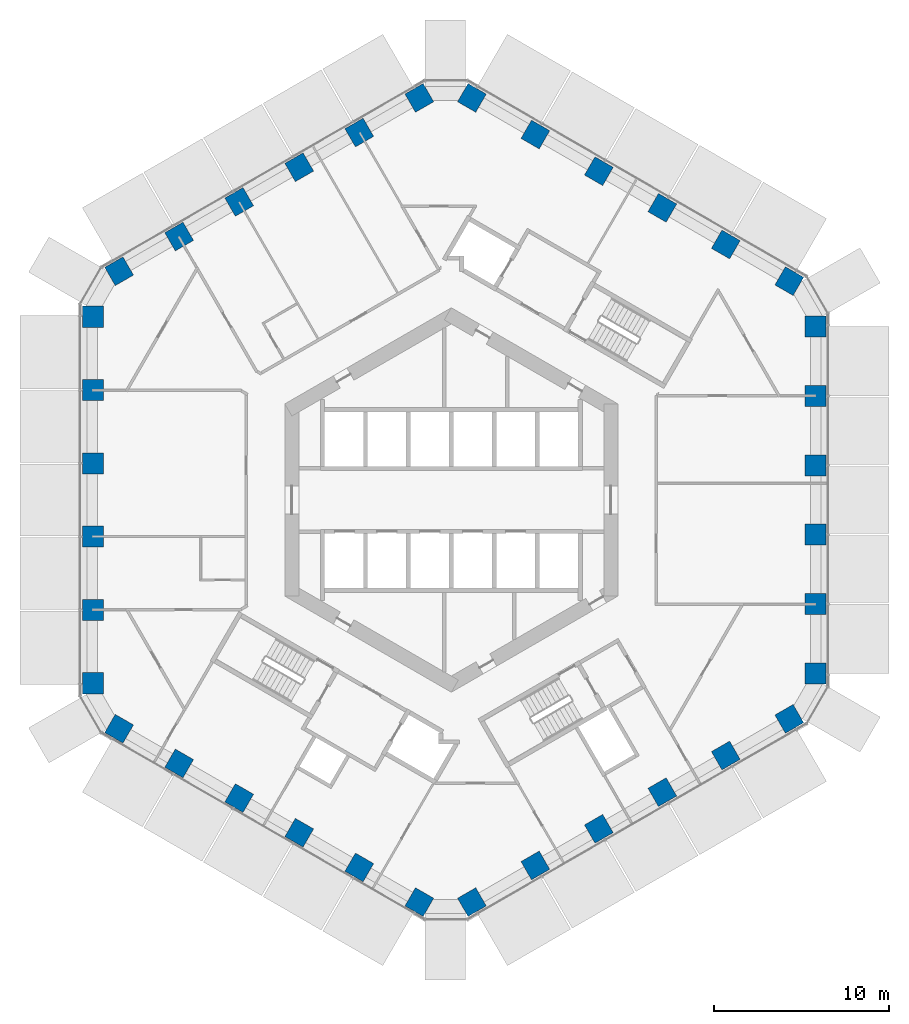
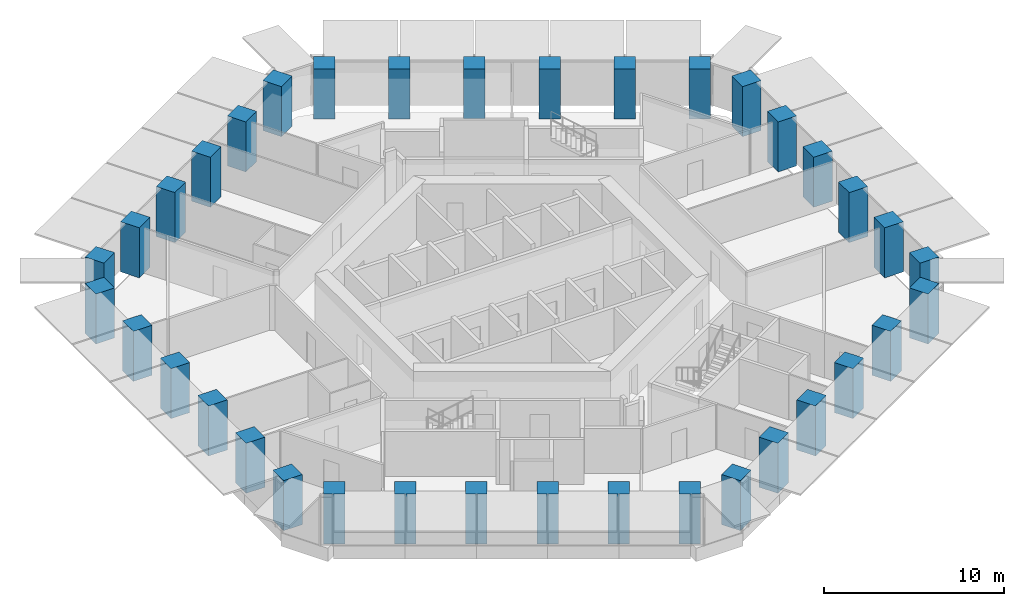
# One storey, part 1 of 19: 36 columns.
"""IFC4 building model written with IfcOpenShell, lengths in metres."""

from ifc_helpers import new_model, si_unit, direction, frame, origin, origin_2d, place, context, subcontext, project, spatial, rectangle, extrude, material, material_profile, profile_set, type_object, element, save


model = new_model("IFC4")

# Units and contexts
model_context = context("Model", 3, precision=1e-05, world=origin(), true_north=direction((0.0, 1.0)))
body_context = subcontext(model_context, "Body", "Model", "MODEL_VIEW")
ifc_project = project(units=[si_unit("LENGTHUNIT", "METRE"), si_unit("AREAUNIT", "SQUARE_METRE"), si_unit("VOLUMEUNIT", "CUBIC_METRE"), si_unit("PLANEANGLEUNIT", "RADIAN"), si_unit("MASSUNIT", "GRAM", prefix="KILO")], contexts=[model_context])

# Site, building, storey
site_placement = place(None, origin())
site = spatial("IfcSite", under=ifc_project, at=site_placement, CompositionType="ELEMENT")
building_placement = place(site_placement, origin())
building = spatial("IfcBuilding", under=site, at=building_placement, Name="Ayvan Gate Tower", CompositionType="ELEMENT")
storey_placement = place(building_placement, frame((0.0, 0.0, 42.5)))
storey = spatial("IfcBuildingStorey", under=building, at=storey_placement, Name="L10", CompositionType="ELEMENT", Elevation=42.5)

# Columns
ifc_material = material(Name="Concrete C70/85", Category="concrete")
ifc_material_profile = material_profile(ifc_material, rectangle(XDim=1.199951171875, YDim=1.199951171875, at=origin_2d()), Name="RC 1200x1200")
ifc_profile_set = profile_set([ifc_material_profile], Name="Concrete C70/85")
column_type = type_object("IfcColumnType", Name="Tube column RC 1200x1200 C70/85", PredefinedType="COLUMN", material=ifc_profile_set)
for number, where, z_axis, x_axis, name in (
    (1, (20.78466796875, -9.89111328125, 0.0), (0.0, 0.0, 1.0), (1.0, 0.0, 0.0), "C-T0-0-L10"),
    (2, (20.78466796875, -5.9345703125, 0.0), (0.0, 0.0, 1.0), (1.0, 0.0, 0.0), "C-T0-1-L10"),
    (3, (20.78466796875, -1.978271484375, 0.0), (0.0, 0.0, 1.0), (1.0, 0.0, 0.0), "C-T0-2-L10"),
    (4, (20.78466796875, 1.978271484375, 0.0), (0.0, 0.0, 1.0), (1.0, 0.0, 0.0), "C-T0-3-L10"),
    (5, (20.78466796875, 5.9345703125, 0.0), (0.0, 0.0, 1.0), (1.0, 0.0, 0.0), "C-T0-4-L10"),
    (6, (20.78466796875, 9.89111328125, 0.0), (0.0, 0.0, 1.0), (1.0, 0.0, 0.0), "C-T0-5-L10"),
    (7, (19.28466796875, 12.489013671875, 0.0), (0.0, 0.0, 1.0), (0.5, 0.866025403784, 0.0), "C-T1-0-L10"),
    (8, (15.662353515625, 14.580322265625, 0.0), (0.0, 0.0, 1.0), (0.5, 0.866025403784, 0.0), "C-T1-1-L10"),
    (9, (12.040283203125, 16.671630859375, 0.0), (0.0, 0.0, 1.0), (0.5, 0.866025403784, 0.0), "C-T1-2-L10"),
    (10, (8.41796875, 18.762939453125, 0.0), (0.0, 0.0, 1.0), (0.5, 0.866025403784, 0.0), "C-T1-3-L10"),
    (11, (4.7958984375, 20.854248046875, 0.0), (0.0, 0.0, 1.0), (0.5, 0.866025403784, 0.0), "C-T1-4-L10"),
    (12, (1.173583984375, 22.945556640625, 0.0), (0.0, 0.0, 1.0), (0.5, 0.866025403784, 0.0), "C-T1-5-L10"),
    (13, (-1.826416015625, 22.945556640625, 0.0), (0.0, 0.0, 1.0), (-0.5, 0.866025403784, 0.0), "C-T2-0-L10"),
    (14, (-5.252685546875, 20.96728515625, 0.0), (0.0, 0.0, 1.0), (-0.5, 0.866025403784, 0.0), "C-T2-1-L10"),
    (15, (-8.67919921875, 18.989013671875, 0.0), (0.0, 0.0, 1.0), (-0.5, 0.866025403784, 0.0), "C-T2-2-L10"),
    (16, (-12.10546875, 17.010986328125, 0.0), (0.0, 0.0, 1.0), (-0.5, 0.866025403784, 0.0), "C-T2-3-L10"),
    (17, (-15.53173828125, 15.03271484375, 0.0), (0.0, 0.0, 1.0), (-0.5, 0.866025403784, 0.0), "C-T2-4-L10"),
    (18, (-18.958251953125, 13.054443359375, 0.0), (0.0, 0.0, 1.0), (-0.5, 0.866025403784, 0.0), "C-T2-5-L10"),
    (19, (-20.458251953125, 10.456298828125, 0.0), (0.0, 0.0, 1.0), (-1.0, 0.0, 0.0), "C-T3-0-L10"),
    (20, (-20.458251953125, 6.27392578125, 0.0), (0.0, 0.0, 1.0), (-1.0, 0.0, 0.0), "C-T3-1-L10"),
    (21, (-20.458251953125, 2.09130859375, 0.0), (0.0, 0.0, 1.0), (-1.0, 0.0, 0.0), "C-T3-2-L10"),
    (22, (-20.458251953125, -2.09130859375, 0.0), (0.0, 0.0, 1.0), (-1.0, 0.0, 0.0), "C-T3-3-L10"),
    (23, (-20.458251953125, -6.27392578125, 0.0), (0.0, 0.0, 1.0), (-1.0, 0.0, 0.0), "C-T3-4-L10"),
    (24, (-20.458251953125, -10.456298828125, 0.0), (0.0, 0.0, 1.0), (-1.0, 0.0, 0.0), "C-T3-5-L10"),
    (25, (-18.958251953125, -13.054443359375, 0.0), (0.0, 0.0, 1.0), (-0.5, -0.866025403784, 0.0), "C-T4-0-L10"),
    (26, (-15.53173828125, -15.03271484375, 0.0), (0.0, 0.0, 1.0), (-0.5, -0.866025403784, 0.0), "C-T4-1-L10"),
    (27, (-12.10546875, -17.010986328125, 0.0), (0.0, 0.0, 1.0), (-0.5, -0.866025403784, 0.0), "C-T4-2-L10"),
    (28, (-8.67919921875, -18.989013671875, 0.0), (0.0, 0.0, 1.0), (-0.5, -0.866025403784, 0.0), "C-T4-3-L10"),
    (29, (-5.252685546875, -20.96728515625, 0.0), (0.0, 0.0, 1.0), (-0.5, -0.866025403784, 0.0), "C-T4-4-L10"),
    (30, (-1.826416015625, -22.945556640625, 0.0), (0.0, 0.0, 1.0), (-0.5, -0.866025403784, 0.0), "C-T4-5-L10"),
    (31, (1.173583984375, -22.945556640625, 0.0), (0.0, 0.0, 1.0), (0.5, -0.866025403784, 0.0), "C-T5-0-L10"),
    (32, (4.7958984375, -20.854248046875, 0.0), (0.0, 0.0, 1.0), (0.5, -0.866025403784, 0.0), "C-T5-1-L10"),
    (33, (8.41796875, -18.762939453125, 0.0), (0.0, 0.0, 1.0), (0.5, -0.866025403784, 0.0), "C-T5-2-L10"),
    (34, (12.040283203125, -16.671630859375, 0.0), (0.0, 0.0, 1.0), (0.5, -0.866025403784, 0.0), "C-T5-3-L10"),
    (35, (15.662353515625, -14.580322265625, 0.0), (0.0, 0.0, 1.0), (0.5, -0.866025403784, 0.0), "C-T5-4-L10"),
    (36, (19.28466796875, -12.489013671875, 0.0), (0.0, 0.0, 1.0), (0.5, -0.866025403784, 0.0), "C-T5-5-L10"),
):
    element("IfcColumn", number, at=place(storey_placement, frame(where, z_axis=z_axis, x_axis=x_axis)), inside=storey, type_object=column_type, Name=name, PredefinedType="COLUMN", context=body_context, shape_type="SweptSolid", body=[
        extrude(rectangle(XDim=1.199951171875, YDim=1.199951171875, at=origin_2d()), origin(), (0.0, 0.0, 1.0), 3.39990234375),
    ])

save(model, "model.ifc")
